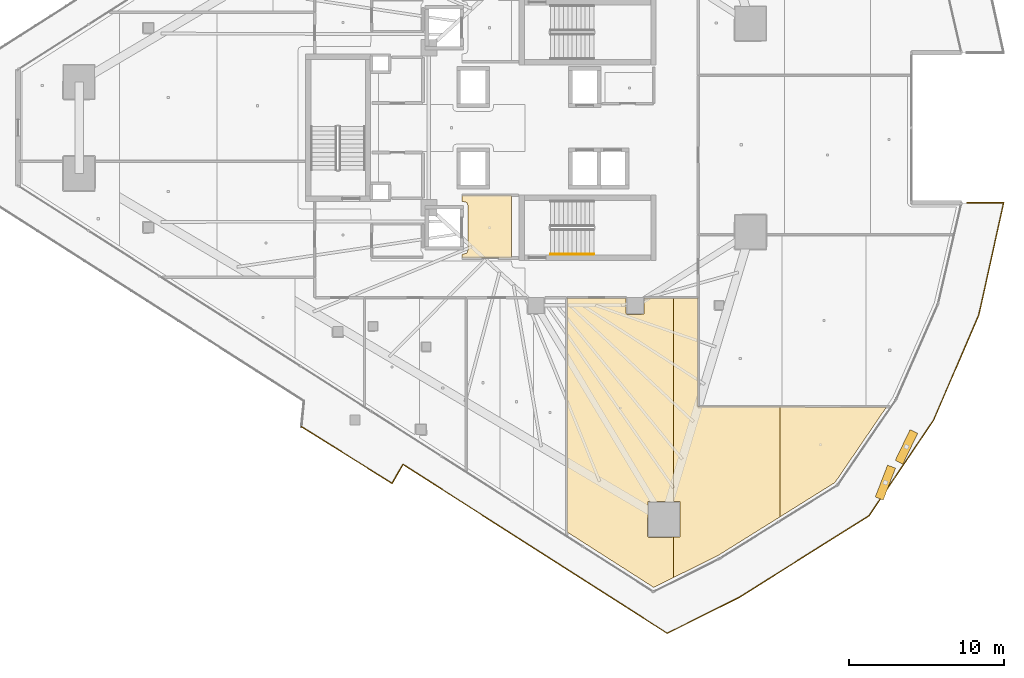
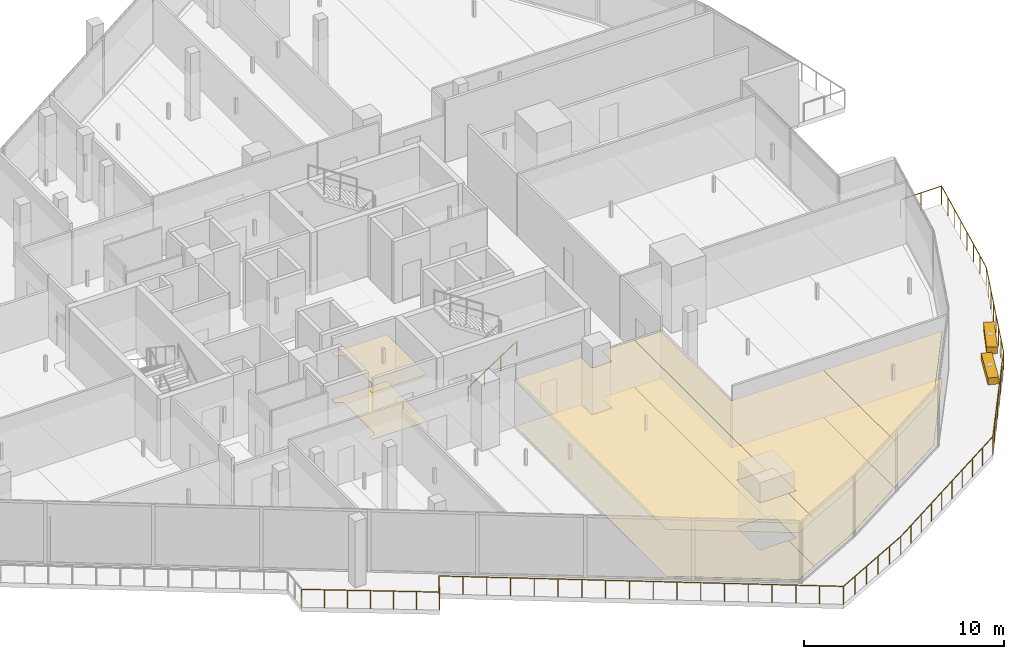
# One storey, part 34 of 39: 8 coverings, 2 railings, 2 shading devices.
"""IFC4 building model written with IfcOpenShell, lengths in metres."""

from ifc_helpers import new_model, si_unit, direction, frame, origin, origin_2d, place, context, subcontext, project, spatial, polyline, rectangle, circle, outline, extrude, material, layer, layer_set, type_object, element, save


model = new_model("IFC4")

# Units and contexts
model_context = context("Model", 3, precision=1e-05, world=origin(), true_north=direction((0.0, 1.0)))
body_context = subcontext(model_context, "Body", "Model", "MODEL_VIEW")
ifc_project = project(units=[si_unit("LENGTHUNIT", "METRE"), si_unit("AREAUNIT", "SQUARE_METRE"), si_unit("VOLUMEUNIT", "CUBIC_METRE"), si_unit("PLANEANGLEUNIT", "RADIAN"), si_unit("MASSUNIT", "GRAM", prefix="KILO")], contexts=[model_context])

# Site, building, storey
site_placement = place(None, origin())
site = spatial("IfcSite", under=ifc_project, at=site_placement, CompositionType="ELEMENT")
building_placement = place(site_placement, origin())
building = spatial("IfcBuilding", under=site, at=building_placement, Name="Qorvath Tower", CompositionType="ELEMENT")
storey_placement = place(building_placement, frame((0.0, 0.0, 142.199951171875)))
storey = spatial("IfcBuildingStorey", under=building, at=storey_placement, Name="L32", CompositionType="ELEMENT", Elevation=142.199951171875)

# Coverings
ifc_material_1 = material(Name="Acoustic mineral fibre ceiling tile", Category="gypsum")
ifc_layer_1 = layer(ifc_material_1, 0.030029296875)
ifc_layer_set_1 = layer_set([ifc_layer_1], Name="COV-CEIL")
covering_type_1 = type_object("IfcCoveringType", Name="COV-CEIL", PredefinedType="CEILING", material=ifc_layer_set_1)
covering_1_placement = place(storey_placement, frame((0.0, 0.0, 2.85009765625)))
element("IfcCovering", 1, at=covering_1_placement, inside=storey, type_object=covering_type_1, Name="L32 Suspended Acoustic Ceiling 002", PredefinedType="CEILING", context=body_context, shape_type="SweptSolid", body=[
    extrude(outline(polyline([(-25.18994140625, -8.39501953125), (-25.18994140625, -4.35498046875), (-28.375, -4.35498046875), (-28.375, -4.739990234375), (-28.063232421875, -4.813232421875), (-27.989990234375, -4.989990234375), (-27.989990234375, -7.909912109375), (-28.063232421875, -8.086669921875), (-28.375, -8.159912109375), (-28.375, -8.39501953125), (-25.18994140625, -8.39501953125)])), origin(), (0.0, 0.0, 1.0), 0.030029296875),
])
covering_2_placement = place(storey_placement, frame((0.0, 0.0, 2.85009765625)))
element("IfcCovering", 2, at=covering_2_placement, inside=storey, type_object=covering_type_1, Name="L32 Suspended Acoustic Ceiling 026", PredefinedType="CEILING", context=body_context, shape_type="SweptSolid", body=[
    extrude(outline(polyline([(-21.59326171875, -26.056884765625), (-16.012451171875, -29.623779296875), (-14.728759765625, -28.98876953125), (-14.728759765625, -26.39208984375), (-16.34423828125, -26.406005859375), (-16.404296875, -26.34619140625), (-16.38671875, -24.103759765625), (-14.728759765625, -24.103759765625), (-14.728759765625, -10.962890625), (-16.614990234375, -10.962890625), (-16.632568359375, -12.017333984375), (-17.72509765625, -12.034912109375), (-17.784912109375, -11.97509765625), (-17.784912109375, -10.962890625), (-21.59326171875, -10.962890625), (-21.59326171875, -26.056884765625)])), origin(), (0.0, 0.0, 1.0), 0.030029296875),
])
covering_3_placement = place(storey_placement, frame((0.0, 0.0, 2.85009765625)))
element("IfcCovering", 3, at=covering_3_placement, inside=storey, type_object=covering_type_1, Name="L32 Suspended Acoustic Ceiling 027", PredefinedType="CEILING", context=body_context, shape_type="SweptSolid", body=[
    extrude(outline(polyline([(-14.728759765625, -10.962890625), (-14.728759765625, -24.103759765625), (-14.3017578125, -24.103759765625), (-14.3017578125, -26.388427734375), (-14.728759765625, -26.39208984375), (-14.728759765625, -28.98876953125), (-11.8681640625, -27.573974609375), (-7.864013671875, -25.074462890625), (-7.864013671875, -17.979736328125), (-13.14990234375, -17.97265625), (-13.155029296875, -10.962890625), (-14.728759765625, -10.962890625)])), origin(), (0.0, 0.0, 1.0), 0.030029296875),
])
covering_4_placement = place(storey_placement, frame((0.0, 0.0, 2.85009765625)))
element("IfcCovering", 4, at=covering_4_placement, inside=storey, type_object=covering_type_1, Name="L32 Suspended Acoustic Ceiling 028", PredefinedType="CEILING", context=body_context, shape_type="SweptSolid", body=[
    extrude(outline(polyline([(-7.864013671875, -17.979736328125), (-7.864013671875, -25.074462890625), (-4.325439453125, -22.86572265625), (-0.99951171875, -17.98876953125), (-7.864013671875, -17.979736328125)])), origin(), (0.0, 0.0, 1.0), 0.030029296875),
])
ifc_material_2 = material(Name="Low-VOC modular carpet tile", Category="textile")
ifc_layer_2 = layer(ifc_material_2, 0.014892578125)
ifc_layer_set_2 = layer_set([ifc_layer_2], Name="COV-FLOOR-CPT")
covering_type_2 = type_object("IfcCoveringType", Name="COV-FLOOR-CPT", PredefinedType="FLOORING", material=ifc_layer_set_2)
covering_5_placement = place(storey_placement, origin())
element("IfcCovering", 5, at=covering_5_placement, inside=storey, type_object=covering_type_2, Name="L32 Floor Finish 026", PredefinedType="FLOORING", context=body_context, shape_type="SweptSolid", body=[
    extrude(outline(polyline([(-21.59326171875, -26.056884765625), (-16.012451171875, -29.623779296875), (-14.728759765625, -28.98876953125), (-14.728759765625, -26.39208984375), (-16.34423828125, -26.406005859375), (-16.404296875, -26.34619140625), (-16.38671875, -24.103759765625), (-14.728759765625, -24.103759765625), (-14.728759765625, -10.962890625), (-16.614990234375, -10.962890625), (-16.632568359375, -12.017333984375), (-17.72509765625, -12.034912109375), (-17.784912109375, -11.97509765625), (-17.784912109375, -10.962890625), (-21.59326171875, -10.962890625), (-21.59326171875, -26.056884765625)])), origin(), (0.0, 0.0, 1.0), 0.01513671875),
])
covering_6_placement = place(storey_placement, origin())
element("IfcCovering", 6, at=covering_6_placement, inside=storey, type_object=covering_type_2, Name="L32 Floor Finish 027", PredefinedType="FLOORING", context=body_context, shape_type="SweptSolid", body=[
    extrude(outline(polyline([(-14.728759765625, -10.962890625), (-14.728759765625, -24.103759765625), (-14.3017578125, -24.103759765625), (-14.3017578125, -26.388427734375), (-14.728759765625, -26.39208984375), (-14.728759765625, -28.98876953125), (-11.8681640625, -27.573974609375), (-7.864013671875, -25.074462890625), (-7.864013671875, -17.979736328125), (-13.14990234375, -17.97265625), (-13.155029296875, -10.962890625), (-14.728759765625, -10.962890625)])), origin(), (0.0, 0.0, 1.0), 0.01513671875),
])
covering_7_placement = place(storey_placement, origin())
element("IfcCovering", 7, at=covering_7_placement, inside=storey, type_object=covering_type_2, Name="L32 Floor Finish 028", PredefinedType="FLOORING", context=body_context, shape_type="SweptSolid", body=[
    extrude(outline(polyline([(-7.864013671875, -17.979736328125), (-7.864013671875, -25.074462890625), (-4.325439453125, -22.86572265625), (-0.99951171875, -17.98876953125), (-7.864013671875, -17.979736328125)])), origin(), (0.0, 0.0, 1.0), 0.01513671875),
])
ifc_material_3 = material(Name="Polished epoxy terrazzo flooring", Category="concrete")
ifc_layer_3 = layer(ifc_material_3, 0.02001953125)
ifc_layer_set_3 = layer_set([ifc_layer_3], Name="COV-FLOOR-TRZ")
covering_type_3 = type_object("IfcCoveringType", Name="COV-FLOOR-TRZ", PredefinedType="FLOORING", material=ifc_layer_set_3)
covering_8_placement = place(storey_placement, origin())
element("IfcCovering", 8, at=covering_8_placement, inside=storey, type_object=covering_type_3, Name="L32 Floor Finish 002", PredefinedType="FLOORING", context=body_context, shape_type="SweptSolid", body=[
    extrude(outline(polyline([(-25.18994140625, -8.39501953125), (-25.18994140625, -4.35498046875), (-28.375, -4.35498046875), (-28.375, -4.739990234375), (-28.063232421875, -4.813232421875), (-27.989990234375, -4.989990234375), (-27.989990234375, -7.909912109375), (-28.063232421875, -8.086669921875), (-28.375, -8.159912109375), (-28.375, -8.39501953125), (-25.18994140625, -8.39501953125)])), origin(), (0.0, 0.0, 1.0), 0.01513671875),
])

# Railings
ifc_material_4 = material(Name="Laminated safety glass and stainless steel AISI 316", Category="steel")
railing_type_1 = type_object("IfcRailingType", Name="RL-EXT-GRD", PredefinedType="GUARDRAIL", material=ifc_material_4)
railing_1_placement = place(storey_placement, frame((4.1767578125, -4.83837890625, 0.0)))
element("IfcRailing", 9, at=railing_1_placement, inside=storey, type_object=railing_type_1, Name="Loggia Perimeter Guardrail L32-1.2", PredefinedType="GUARDRAIL", context=body_context, shape_type="SweptSolid", body=[
    extrude(circle(Radius=0.02392578125, at=origin_2d()), frame((0.0, 0.0, 1.09619140625), z_axis=(1.0, 0.0, 0.0), x_axis=(0.0, 1.0, 0.0)), (0.0, 0.0, 1.0), 2.36669921875),
    extrude(circle(Radius=0.02392578125, at=origin_2d()), frame((2.36669921875, 0.0, 1.09619140625), z_axis=(-0.216093033499, -0.976372777618, 0.0), x_axis=(0.976372777618, -0.216093033499, 0.0)), (0.0, 0.0, 1.0), 7.4091796875),
    extrude(circle(Radius=0.02392578125, at=origin_2d()), frame((0.765625, -7.234130859375, 1.09619140625), z_axis=(-0.395477654199, -0.918475598494, 0.0), x_axis=(0.918475598494, -0.395477654199, 0.0)), (0.0, 0.0, 1.0), 7.4091796875),
    extrude(circle(Radius=0.02392578125, at=origin_2d()), frame((-2.16455078125, -14.039306640625, 1.09619140625), z_axis=(-0.560829201616, -0.827931522902, 0.0), x_axis=(0.827931522902, -0.560829201616, 0.0)), (0.0, 0.0, 1.0), 7.4091796875),
    extrude(circle(Radius=0.02392578125, at=origin_2d()), frame((-6.31982421875, -20.173583984375, 1.09619140625), z_axis=(-0.846505421647, -0.532380100231, 0.0), x_axis=(0.532380100231, -0.846505421647, 0.0)), (0.0, 0.0, 1.0), 9.852783203125),
    extrude(circle(Radius=0.02392578125, at=origin_2d()), frame((-14.66015625, -25.4189453125, 1.09619140625), z_axis=(-0.894417808962, -0.447232359083, 0.0), x_axis=(0.447232359083, -0.894417808962, 0.0)), (0.0, 0.0, 1.0), 5.20458984375),
    extrude(circle(Radius=0.02392578125, at=origin_2d()), frame((-19.315185546875, -27.74658203125, 1.09619140625), z_axis=(-0.842601906338, 0.538536932285, 0.0), x_axis=(-0.538536932285, -0.842601906338, 0.0)), (0.0, 0.0, 1.0), 20.220703125),
    extrude(circle(Radius=0.02392578125, at=origin_2d()), frame((-36.353271484375, -16.85693359375, 1.09619140625), z_axis=(-0.494587515239, -0.869127832813, 0.0), x_axis=(0.869127832813, -0.494587515239, 0.0)), (0.0, 0.0, 1.0), 1.4072265625),
    extrude(circle(Radius=0.02392578125, at=origin_2d()), frame((-37.04931640625, -18.080078125, 1.09619140625), z_axis=(-0.848042108762, 0.529928845946, 0.0), x_axis=(-0.529928845946, -0.848042108762, 0.0)), (0.0, 0.0, 1.0), 6.887939453125),
    extrude(circle(Radius=0.02099609375, at=origin_2d()), origin(), (0.0, 0.0, 1.0), 1.072021484375),
    extrude(circle(Radius=0.02099609375, at=origin_2d()), frame((1.183349609375, 0.0, 0.0)), (0.0, 0.0, 1.0), 1.072021484375),
    extrude(circle(Radius=0.02099609375, at=origin_2d()), frame((2.36669921875, 0.0, 0.0)), (0.0, 0.0, 1.0), 1.072021484375),
    extrude(circle(Radius=0.02099609375, at=origin_2d()), frame((2.137939453125, -1.033447265625, 0.0)), (0.0, 0.0, 1.0), 1.072021484375),
    extrude(circle(Radius=0.02099609375, at=origin_2d()), frame((1.9091796875, -2.06689453125, 0.0)), (0.0, 0.0, 1.0), 1.072021484375),
    extrude(circle(Radius=0.02099609375, at=origin_2d()), frame((1.680419921875, -3.100341796875, 0.0)), (0.0, 0.0, 1.0), 1.072021484375),
    extrude(circle(Radius=0.02099609375, at=origin_2d()), frame((1.451904296875, -4.1337890625, 0.0)), (0.0, 0.0, 1.0), 1.072021484375),
    extrude(circle(Radius=0.02099609375, at=origin_2d()), frame((1.22314453125, -5.167236328125, 0.0)), (0.0, 0.0, 1.0), 1.072021484375),
    extrude(circle(Radius=0.02099609375, at=origin_2d()), frame((0.994384765625, -6.20068359375, 0.0)), (0.0, 0.0, 1.0), 1.072021484375),
    extrude(circle(Radius=0.02099609375, at=origin_2d()), frame((0.765625, -7.234130859375, 0.0)), (0.0, 0.0, 1.0), 1.072021484375),
    extrude(circle(Radius=0.02099609375, at=origin_2d()), frame((0.346923828125, -8.206298828125, 0.0)), (0.0, 0.0, 1.0), 1.072021484375),
    extrude(circle(Radius=0.02099609375, at=origin_2d()), frame((-0.071533203125, -9.178466796875, 0.0)), (0.0, 0.0, 1.0), 1.072021484375),
    extrude(circle(Radius=0.02099609375, at=origin_2d()), frame((-0.490234375, -10.150634765625, 0.0)), (0.0, 0.0, 1.0), 1.072021484375),
    extrude(circle(Radius=0.02099609375, at=origin_2d()), frame((-0.90869140625, -11.122802734375, 0.0)), (0.0, 0.0, 1.0), 1.072021484375),
    extrude(circle(Radius=0.02099609375, at=origin_2d()), frame((-1.327392578125, -12.094970703125, 0.0)), (0.0, 0.0, 1.0), 1.072021484375),
    extrude(circle(Radius=0.02099609375, at=origin_2d()), frame((-1.745849609375, -13.067138671875, 0.0)), (0.0, 0.0, 1.0), 1.072021484375),
    extrude(circle(Radius=0.02099609375, at=origin_2d()), frame((-2.16455078125, -14.039306640625, 0.0)), (0.0, 0.0, 1.0), 1.072021484375),
    extrude(circle(Radius=0.02099609375, at=origin_2d()), frame((-2.758056640625, -14.91552734375, 0.0)), (0.0, 0.0, 1.0), 1.072021484375),
    extrude(circle(Radius=0.02099609375, at=origin_2d()), frame((-3.351806640625, -15.7919921875, 0.0)), (0.0, 0.0, 1.0), 1.072021484375),
    extrude(circle(Radius=0.02099609375, at=origin_2d()), frame((-3.9453125, -16.668212890625, 0.0)), (0.0, 0.0, 1.0), 1.072021484375),
    extrude(circle(Radius=0.02099609375, at=origin_2d()), frame((-4.5390625, -17.544677734375, 0.0)), (0.0, 0.0, 1.0), 1.072021484375),
    extrude(circle(Radius=0.02099609375, at=origin_2d()), frame((-5.132568359375, -18.4208984375, 0.0)), (0.0, 0.0, 1.0), 1.072021484375),
    extrude(circle(Radius=0.02099609375, at=origin_2d()), frame((-5.726318359375, -19.29736328125, 0.0)), (0.0, 0.0, 1.0), 1.072021484375),
    extrude(circle(Radius=0.02099609375, at=origin_2d()), frame((-6.31982421875, -20.173583984375, 0.0)), (0.0, 0.0, 1.0), 1.072021484375),
    extrude(circle(Radius=0.02099609375, at=origin_2d()), frame((-7.24658203125, -20.75634765625, 0.0)), (0.0, 0.0, 1.0), 1.072021484375),
    extrude(circle(Radius=0.02099609375, at=origin_2d()), frame((-8.17333984375, -21.339111328125, 0.0)), (0.0, 0.0, 1.0), 1.072021484375),
    extrude(circle(Radius=0.02099609375, at=origin_2d()), frame((-9.099853515625, -21.922119140625, 0.0)), (0.0, 0.0, 1.0), 1.072021484375),
    extrude(circle(Radius=0.02099609375, at=origin_2d()), frame((-10.026611328125, -22.5048828125, 0.0)), (0.0, 0.0, 1.0), 1.072021484375),
    extrude(circle(Radius=0.02099609375, at=origin_2d()), frame((-10.953369140625, -23.087646484375, 0.0)), (0.0, 0.0, 1.0), 1.072021484375),
    extrude(circle(Radius=0.02099609375, at=origin_2d()), frame((-11.880126953125, -23.67041015625, 0.0)), (0.0, 0.0, 1.0), 1.072021484375),
    extrude(circle(Radius=0.02099609375, at=origin_2d()), frame((-12.806640625, -24.25341796875, 0.0)), (0.0, 0.0, 1.0), 1.072021484375),
    extrude(circle(Radius=0.02099609375, at=origin_2d()), frame((-13.7333984375, -24.836181640625, 0.0)), (0.0, 0.0, 1.0), 1.072021484375),
    extrude(circle(Radius=0.02099609375, at=origin_2d()), frame((-14.66015625, -25.4189453125, 0.0)), (0.0, 0.0, 1.0), 1.072021484375),
    extrude(circle(Radius=0.02099609375, at=origin_2d()), frame((-15.591064453125, -25.884521484375, 0.0)), (0.0, 0.0, 1.0), 1.072021484375),
    extrude(circle(Radius=0.02099609375, at=origin_2d()), frame((-16.522216796875, -26.35009765625, 0.0)), (0.0, 0.0, 1.0), 1.072021484375),
    extrude(circle(Radius=0.02099609375, at=origin_2d()), frame((-17.453125, -26.8154296875, 0.0)), (0.0, 0.0, 1.0), 1.072021484375),
    extrude(circle(Radius=0.02099609375, at=origin_2d()), frame((-18.38427734375, -27.281005859375, 0.0)), (0.0, 0.0, 1.0), 1.072021484375),
    extrude(circle(Radius=0.02099609375, at=origin_2d()), frame((-19.315185546875, -27.74658203125, 0.0)), (0.0, 0.0, 1.0), 1.072021484375),
    extrude(circle(Radius=0.02099609375, at=origin_2d()), frame((-20.3173828125, -27.10595703125, 0.0)), (0.0, 0.0, 1.0), 1.072021484375),
    extrude(circle(Radius=0.02099609375, at=origin_2d()), frame((-21.319580078125, -26.46533203125, 0.0)), (0.0, 0.0, 1.0), 1.072021484375),
    extrude(circle(Radius=0.02099609375, at=origin_2d()), frame((-22.322021484375, -25.824951171875, 0.0)), (0.0, 0.0, 1.0), 1.072021484375),
    extrude(circle(Radius=0.02099609375, at=origin_2d()), frame((-23.32421875, -25.184326171875, 0.0)), (0.0, 0.0, 1.0), 1.072021484375),
    extrude(circle(Radius=0.02099609375, at=origin_2d()), frame((-24.326416015625, -24.543701171875, 0.0)), (0.0, 0.0, 1.0), 1.072021484375),
    extrude(circle(Radius=0.02099609375, at=origin_2d()), frame((-25.32861328125, -23.903076171875, 0.0)), (0.0, 0.0, 1.0), 1.072021484375),
    extrude(circle(Radius=0.02099609375, at=origin_2d()), frame((-26.330810546875, -23.2626953125, 0.0)), (0.0, 0.0, 1.0), 1.072021484375),
    extrude(circle(Radius=0.02099609375, at=origin_2d()), frame((-27.3330078125, -22.6220703125, 0.0)), (0.0, 0.0, 1.0), 1.072021484375),
    extrude(circle(Radius=0.02099609375, at=origin_2d()), frame((-28.33544921875, -21.9814453125, 0.0)), (0.0, 0.0, 1.0), 1.072021484375),
    extrude(circle(Radius=0.02099609375, at=origin_2d()), frame((-29.337646484375, -21.3408203125, 0.0)), (0.0, 0.0, 1.0), 1.072021484375),
    extrude(circle(Radius=0.02099609375, at=origin_2d()), frame((-30.33984375, -20.700439453125, 0.0)), (0.0, 0.0, 1.0), 1.072021484375),
    extrude(circle(Radius=0.02099609375, at=origin_2d()), frame((-31.342041015625, -20.059814453125, 0.0)), (0.0, 0.0, 1.0), 1.072021484375),
    extrude(circle(Radius=0.02099609375, at=origin_2d()), frame((-32.34423828125, -19.419189453125, 0.0)), (0.0, 0.0, 1.0), 1.072021484375),
    extrude(circle(Radius=0.02099609375, at=origin_2d()), frame((-33.346435546875, -18.778564453125, 0.0)), (0.0, 0.0, 1.0), 1.072021484375),
    extrude(circle(Radius=0.02099609375, at=origin_2d()), frame((-34.348876953125, -18.13818359375, 0.0)), (0.0, 0.0, 1.0), 1.072021484375),
    extrude(circle(Radius=0.02099609375, at=origin_2d()), frame((-35.35107421875, -17.49755859375, 0.0)), (0.0, 0.0, 1.0), 1.072021484375),
    extrude(circle(Radius=0.02099609375, at=origin_2d()), frame((-36.353271484375, -16.85693359375, 0.0)), (0.0, 0.0, 1.0), 1.072021484375),
    extrude(circle(Radius=0.02099609375, at=origin_2d()), frame((-36.701171875, -17.468505859375, 0.0)), (0.0, 0.0, 1.0), 1.072021484375),
    extrude(circle(Radius=0.02099609375, at=origin_2d()), frame((-37.04931640625, -18.080078125, 0.0)), (0.0, 0.0, 1.0), 1.072021484375),
    extrude(circle(Radius=0.02099609375, at=origin_2d()), frame((-38.02294921875, -17.4716796875, 0.0)), (0.0, 0.0, 1.0), 1.072021484375),
    extrude(circle(Radius=0.02099609375, at=origin_2d()), frame((-38.996337890625, -16.86328125, 0.0)), (0.0, 0.0, 1.0), 1.072021484375),
    extrude(circle(Radius=0.02099609375, at=origin_2d()), frame((-39.969970703125, -16.2548828125, 0.0)), (0.0, 0.0, 1.0), 1.072021484375),
    extrude(circle(Radius=0.02099609375, at=origin_2d()), frame((-40.943603515625, -15.646728515625, 0.0)), (0.0, 0.0, 1.0), 1.072021484375),
    extrude(circle(Radius=0.02099609375, at=origin_2d()), frame((-41.9169921875, -15.038330078125, 0.0)), (0.0, 0.0, 1.0), 1.072021484375),
    extrude(circle(Radius=0.02099609375, at=origin_2d()), frame((-42.890625, -14.429931640625, 0.0)), (0.0, 0.0, 1.0), 1.072021484375),
])
ifc_material_5 = material(Name="Brushed stainless steel AISI 304", Category="steel")
railing_type_2 = type_object("IfcRailingType", Name="RL-STR-HND", PredefinedType="HANDRAIL", material=ifc_material_5)
railing_2_placement = place(storey_placement, frame((-22.669921875, -8.14990234375, 0.18408203125)))
element("IfcRailing", 10, at=railing_2_placement, inside=storey, type_object=railing_type_2, Name="L32 TS2 stair handrail 1", PredefinedType="HANDRAIL", context=body_context, shape_type="SweptSolid", body=[
    extrude(circle(Radius=0.02392578125, at=origin_2d()), frame((0.0, 0.0, 0.8759765625), z_axis=(0.835542071712, 0.0, 0.549426470421), x_axis=(0.0, 1.0, 0.0)), (0.0, 0.0, 1.0), 3.350830078125),
    extrude(circle(Radius=0.02099609375, at=origin_2d()), origin(), (0.0, 0.0, 1.0), 0.851806640625),
    extrude(circle(Radius=0.02099609375, at=origin_2d()), frame((0.933349609375, 0.0, 0.61376953125)), (0.0, 0.0, 1.0), 0.851806640625),
    extrude(circle(Radius=0.02099609375, at=origin_2d()), frame((1.866455078125, 0.0, 1.227294921875)), (0.0, 0.0, 1.0), 0.851806640625),
    extrude(circle(Radius=0.02099609375, at=origin_2d()), frame((2.7998046875, 0.0, 1.841064453125)), (0.0, 0.0, 1.0), 0.851806640625),
])

# Shading devices
ifc_material_6 = material(Name="Anodised bronze-champagne aluminium", Category="aluminium")
shading_device_type = type_object("IfcShadingDeviceType", Name="SD-LOUVRE", PredefinedType="JALOUSIE", material=ifc_material_6)
for number, where, z_axis, x_axis, name in (
    (11, (-1.078369140625, -22.869384765625, 3.360107421875), (0.0, 0.0, 1.0), (0.359915391195, 0.932984946921, 0.0), "Sinusoidal Wave Louvre Blade L32-03"),
    (12, (0.2802734375, -20.568115234375, 3.360107421875), (0.0, 0.0, 1.0), (0.433850941237, 0.900984661794, 0.0), "Sinusoidal Wave Louvre Blade L32-04"),
):
    element("IfcShadingDevice", number, at=place(storey_placement, frame(where, z_axis=z_axis, x_axis=x_axis)), inside=storey, type_object=shading_device_type, Name=name, PredefinedType="NOTDEFINED", context=body_context, shape_type="SweptSolid", body=[
        extrude(rectangle(XDim=2.199951171875, YDim=0.550048828125, at=origin_2d()), origin(), (0.0, 0.0, 1.0), 0.419921875),
    ])

save(model, "model.ifc")
